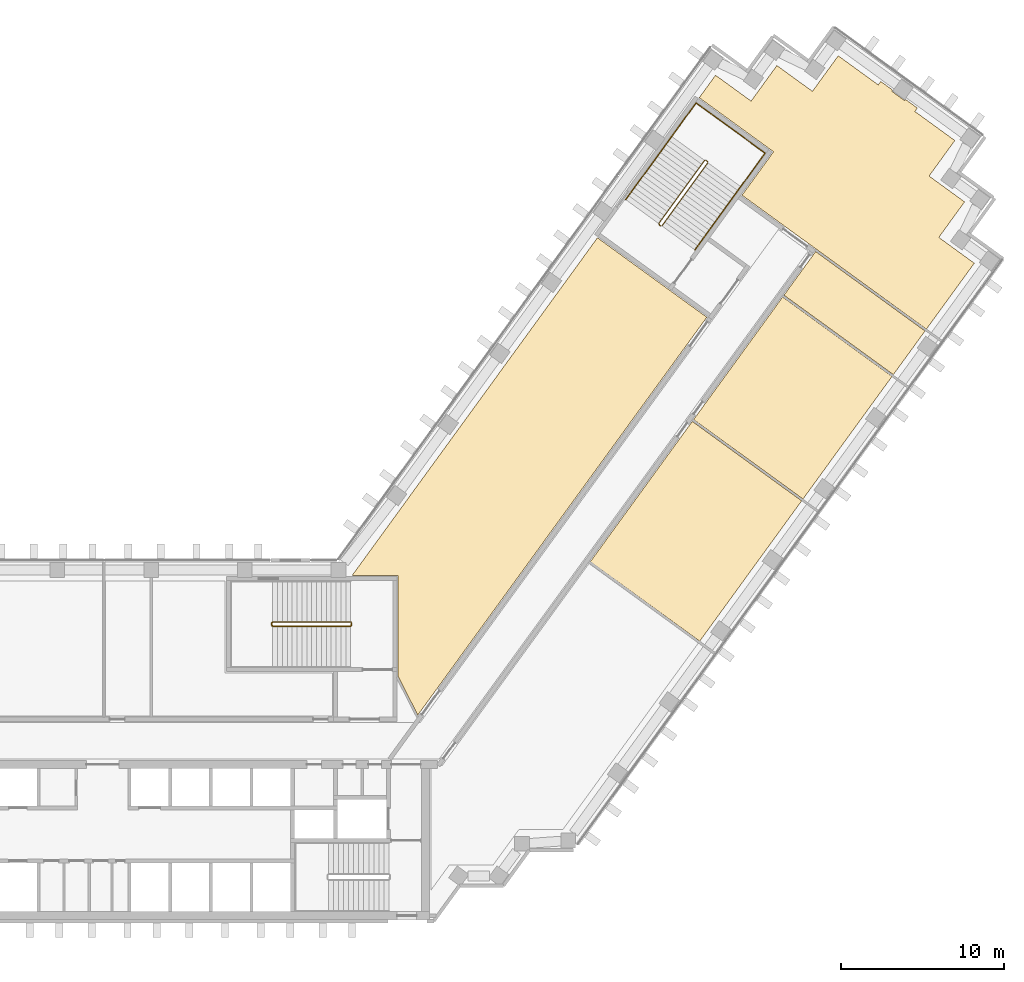
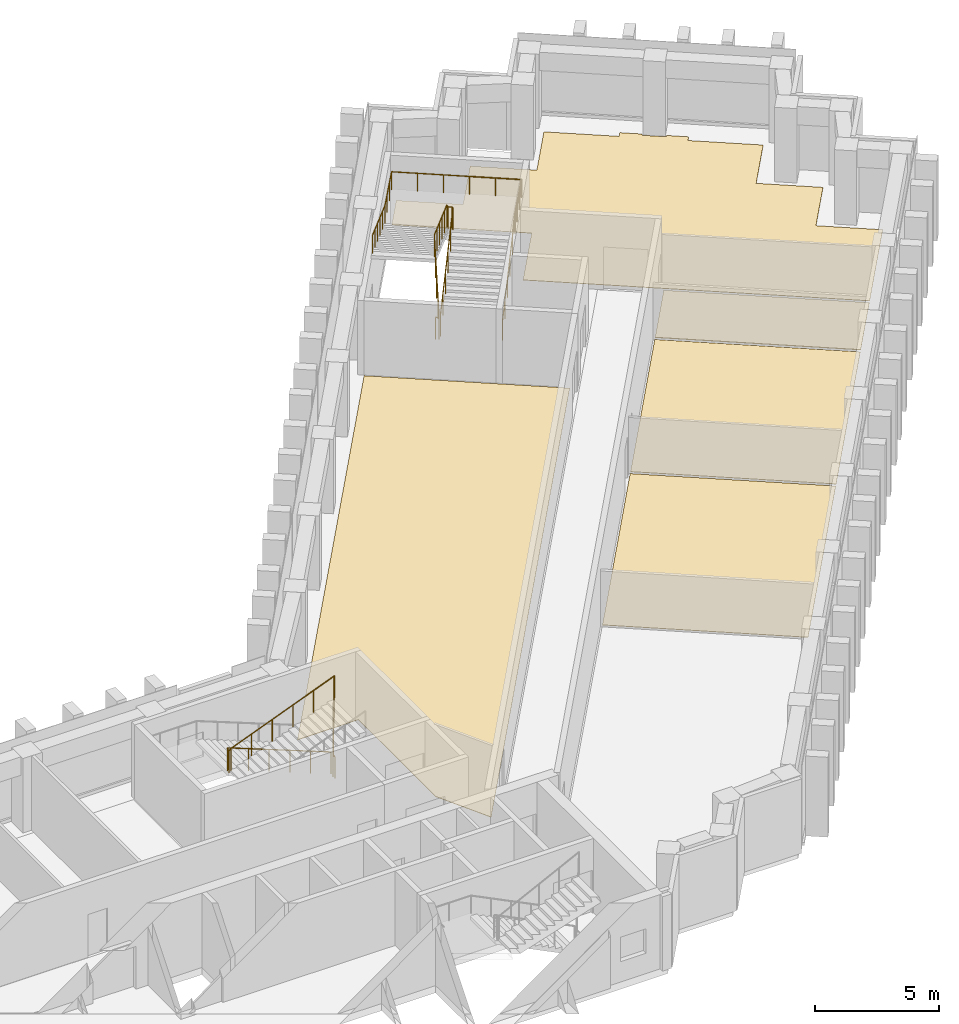
# One storey, part 16 of 16: 5 coverings, 3 railings.
"""IFC4 building model written with IfcOpenShell, lengths in metres."""

from ifc_helpers import new_model, si_unit, direction, frame, origin, origin_2d, place, context, subcontext, project, spatial, polyline, circle, outline, extrude, material, layer, layer_set, type_object, element, save


model = new_model("IFC4")

# Units and contexts
model_context = context("Model", 3, precision=1e-05, world=origin(), true_north=direction((0.0, 1.0)))
body_context = subcontext(model_context, "Body", "Model", "MODEL_VIEW")
ifc_project = project(units=[si_unit("LENGTHUNIT", "METRE"), si_unit("AREAUNIT", "SQUARE_METRE"), si_unit("VOLUMEUNIT", "CUBIC_METRE"), si_unit("PLANEANGLEUNIT", "RADIAN"), si_unit("MASSUNIT", "GRAM", prefix="KILO")], contexts=[model_context])

# Site, building, storey
site_placement = place(None, origin())
site = spatial("IfcSite", under=ifc_project, at=site_placement, CompositionType="ELEMENT")
building_placement = place(site_placement, origin())
building = spatial("IfcBuilding", under=site, at=building_placement, Name="Quipu Civic Tower", CompositionType="ELEMENT")
storey_placement = place(building_placement, frame((0.0, 0.0, 63.0)))
storey = spatial("IfcBuildingStorey", under=building, at=storey_placement, Name="L14", CompositionType="ELEMENT", Elevation=63.0)

# Coverings
ifc_material_1 = material(Name="Carpet tile on raised access floor")
ifc_layer_1 = layer(ifc_material_1, 0.02001953125)
ifc_layer_set_1 = layer_set([ifc_layer_1], Name="Carpet tile on raised access floor")
covering_type_1 = type_object("IfcCoveringType", Name="Carpet tile floor finish 20", PredefinedType="FLOORING", material=ifc_layer_set_1)
covering_1_placement = place(storey_placement, origin())
element("IfcCovering", 1, at=covering_1_placement, inside=storey, type_object=covering_type_1, Name="Carpet tile floor finish 20", PredefinedType="FLOORING", context=body_context, shape_type="SweptSolid", body=[
    extrude(outline(polyline([(15.238037109375, 10.169921875), (30.31494140625, 30.922119140625), (37.0380859375, 26.0380859375), (19.27197265625, 1.583984375), (18.070068359375, 3.94189453125), (18.070068359375, 10.1689453125), (15.238037109375, 10.169921875)])), origin(), (0.0, 0.0, 1.0), 0.02001953125),
])
covering_2_placement = place(storey_placement, origin())
element("IfcCovering", 2, at=covering_2_placement, inside=storey, type_object=covering_type_1, Name="Carpet tile floor finish 20", PredefinedType="FLOORING", context=body_context, shape_type="SweptSolid", body=[
    extrude(outline(polyline([(36.570068359375, 39.530029296875), (37.574951171875, 40.9130859375), (39.760009765625, 39.326904296875), (41.345947265625, 41.510986328125), (43.530029296875, 39.925048828125), (45.116943359375, 42.10791015625), (47.574951171875, 40.322021484375), (47.72900390625, 40.531982421875), (48.449951171875, 40.008056640625), (48.427001953125, 39.97705078125), (48.424072265625, 39.972900390625), (48.422119140625, 39.968017578125), (48.419921875, 39.964111328125), (48.4189453125, 39.958984375), (48.41796875, 39.9541015625), (48.4169921875, 39.948974609375), (48.4169921875, 39.944091796875), (48.41796875, 39.93994140625), (48.4189453125, 39.93505859375), (48.419921875, 39.929931640625), (48.422119140625, 39.926025390625), (48.425048828125, 39.9208984375), (48.427001953125, 39.9169921875), (48.430908203125, 39.9130859375), (48.43408203125, 39.909912109375), (48.43798828125, 39.906982421875), (49.166015625, 39.3779296875), (49.169921875, 39.375), (49.174072265625, 39.373046875), (49.178955078125, 39.37109375), (49.18408203125, 39.3701171875), (49.18896484375, 39.368896484375), (49.193115234375, 39.367919921875), (49.197998046875, 39.367919921875), (49.202880859375, 39.368896484375), (49.2080078125, 39.3701171875), (49.212890625, 39.37109375), (49.217041015625, 39.373046875), (49.220947265625, 39.3759765625), (49.22607421875, 39.3779296875), (49.22900390625, 39.382080078125), (49.23291015625, 39.385009765625), (49.236083984375, 39.388916015625), (49.259033203125, 39.4208984375), (49.97900390625, 38.89697265625), (49.826904296875, 38.68603515625), (52.284912109375, 36.90087890625), (50.698974609375, 34.717041015625), (52.883056640625, 33.12890625), (51.297119140625, 30.945068359375), (53.47998046875, 29.35791015625), (50.535888671875, 25.304931640625), (39.200927734375, 33.5390625), (41.139892578125, 36.208984375), (36.570068359375, 39.530029296875)])), origin(), (0.0, 0.0, 1.0), 0.02001953125),
])
covering_3_placement = place(storey_placement, origin())
element("IfcCovering", 3, at=covering_3_placement, inside=storey, type_object=covering_type_1, Name="Carpet tile floor finish 20", PredefinedType="FLOORING", context=body_context, shape_type="SweptSolid", body=[
    extrude(outline(polyline([(36.22705078125, 19.748046875), (41.698974609375, 27.281005859375), (48.422119140625, 22.39697265625), (42.950927734375, 14.864990234375), (36.22705078125, 19.748046875)])), origin(), (0.0, 0.0, 1.0), 0.02001953125),
])
covering_4_placement = place(storey_placement, origin())
element("IfcCovering", 4, at=covering_4_placement, inside=storey, type_object=covering_type_1, Name="Carpet tile floor finish 20", PredefinedType="FLOORING", context=body_context, shape_type="SweptSolid", body=[
    extrude(outline(polyline([(29.87890625, 11.010986328125), (36.14404296875, 19.635009765625), (42.867919921875, 14.751953125), (36.60302734375, 6.126953125), (29.87890625, 11.010986328125)])), origin(), (0.0, 0.0, 1.0), 0.02001953125),
])
ifc_material_2 = material(Name="Ceramic floor tile")
ifc_layer_2 = layer(ifc_material_2, 0.030029296875)
ifc_layer_set_2 = layer_set([ifc_layer_2], Name="Ceramic floor tile")
covering_type_2 = type_object("IfcCoveringType", Name="Ceramic tile floor finish 30", PredefinedType="FLOORING", material=ifc_layer_set_2)
covering_5_placement = place(storey_placement, origin())
element("IfcCovering", 5, at=covering_5_placement, inside=storey, type_object=covering_type_2, Name="Ceramic tile floor finish 30", PredefinedType="FLOORING", context=body_context, shape_type="SweptSolid", body=[
    extrude(outline(polyline([(41.781982421875, 27.39404296875), (43.72998046875, 30.075927734375), (50.452880859375, 25.19189453125), (48.5048828125, 22.510009765625), (41.781982421875, 27.39404296875)])), origin(), (0.0, 0.0, 1.0), 0.030029296875),
])

# Railings
ifc_material_3 = material(Name="Stainless steel", Category="steel")
railing_type_1 = type_object("IfcRailingType", Name="Stair guard 1100", PredefinedType="GUARDRAIL", material=ifc_material_3)
railing_1_placement = place(storey_placement, frame((15.14990234375, 7.300048828125, 0.11767578125)))
element("IfcRailing", 6, at=railing_1_placement, inside=storey, type_object=railing_type_1, Name="Stair 4 guard", PredefinedType="GUARDRAIL", context=body_context, shape_type="SweptSolid", body=[
    extrude(circle(Radius=0.02392578125, at=origin_2d()), frame((0.0, 0.0, 1.076171875), z_axis=(-0.930970042603, 0.0, 0.365095576219), x_axis=(0.0, -1.0, 0.0)), (0.0, 0.0, 1.0), 5.15576171875),
    extrude(circle(Radius=0.02392578125, at=origin_2d()), frame((-4.7998046875, 0.0, 2.95849609375), z_axis=(-0.707106781187, -0.707106781187, 0.0), x_axis=(0.707106781187, -0.707106781187, 0.0)), (0.0, 0.0, 1.0), 0.07080078125),
    extrude(circle(Radius=0.02392578125, at=origin_2d()), frame((-4.849853515625, -0.050048828125, 2.95849609375), z_axis=(0.0, -1.0, 0.0), x_axis=(1.0, 0.0, 0.0)), (0.0, 0.0, 1.0), 0.14990234375),
    extrude(circle(Radius=0.02392578125, at=origin_2d()), frame((-4.849853515625, -0.199951171875, 2.95849609375), z_axis=(0.364463019033, -0.364463019033, 0.856932561824), x_axis=(0.707106781187, 0.707106781187, 0.0)), (0.0, 0.0, 1.0), 0.13720703125),
    extrude(circle(Radius=0.02392578125, at=origin_2d()), frame((-4.7998046875, -0.25, 3.076171875), z_axis=(0.930970042603, 0.0, 0.365095576219), x_axis=(0.0, 1.0, 0.0)), (0.0, 0.0, 1.0), 5.15576171875),
    extrude(circle(Radius=0.02392578125, at=origin_2d()), frame((0.0, -0.25, 4.95849609375), z_axis=(0.012495627992, 0.049921557685, -0.998674970829), x_axis=(-0.970072785993, 0.242814311512, 0.0)), (0.0, 0.0, 1.0), 4.00537109375),
    extrude(circle(Radius=0.02392578125, at=origin_2d()), frame((0.050048828125, -0.050048828125, 0.95849609375), z_axis=(0.0, -1.0, 0.0), x_axis=(1.0, 0.0, 0.0)), (0.0, 0.0, 1.0), 0.14990234375),
    extrude(circle(Radius=0.02099609375, at=origin_2d()), origin(), (0.0, 0.0, 1.0), 1.052001953125),
    extrude(circle(Radius=0.02099609375, at=origin_2d()), frame((-0.9599609375, 0.0, 0.37646484375)), (0.0, 0.0, 1.0), 1.052001953125),
    extrude(circle(Radius=0.02099609375, at=origin_2d()), frame((-1.919921875, 0.0, 0.7529296875)), (0.0, 0.0, 1.0), 1.052001953125),
    extrude(circle(Radius=0.02099609375, at=origin_2d()), frame((-2.8798828125, 0.0, 1.12939453125)), (0.0, 0.0, 1.0), 1.052001953125),
    extrude(circle(Radius=0.02099609375, at=origin_2d()), frame((-3.83984375, 0.0, 1.505859375)), (0.0, 0.0, 1.0), 1.052001953125),
    extrude(circle(Radius=0.02099609375, at=origin_2d()), frame((-4.7998046875, 0.0, 1.88232421875)), (0.0, 0.0, 1.0), 1.052001953125),
    extrude(circle(Radius=0.02099609375, at=origin_2d()), frame((-4.849853515625, -0.050048828125, 1.88232421875)), (0.0, 0.0, 1.0), 1.052001953125),
    extrude(circle(Radius=0.02099609375, at=origin_2d()), frame((-4.849853515625, -0.199951171875, 1.88232421875)), (0.0, 0.0, 1.0), 1.052001953125),
    extrude(circle(Radius=0.02099609375, at=origin_2d()), frame((-4.7998046875, -0.25, 2.0)), (0.0, 0.0, 1.0), 1.052001953125),
    extrude(circle(Radius=0.02099609375, at=origin_2d()), frame((-3.83984375, -0.25, 2.37646484375)), (0.0, 0.0, 1.0), 1.052001953125),
    extrude(circle(Radius=0.02099609375, at=origin_2d()), frame((-2.8798828125, -0.25, 2.7529296875)), (0.0, 0.0, 1.0), 1.052001953125),
    extrude(circle(Radius=0.02099609375, at=origin_2d()), frame((-1.919921875, -0.25, 3.12939453125)), (0.0, 0.0, 1.0), 1.052001953125),
    extrude(circle(Radius=0.02099609375, at=origin_2d()), frame((-0.9599609375, -0.25, 3.505859375)), (0.0, 0.0, 1.0), 1.052001953125),
    extrude(circle(Radius=0.02099609375, at=origin_2d()), frame((0.0, -0.25, 3.88232421875)), (0.0, 0.0, 1.0), 1.052001953125),
    extrude(circle(Radius=0.02099609375, at=origin_2d()), frame((0.012451171875, -0.199951171875, 2.88232421875)), (0.0, 0.0, 1.0), 1.052001953125),
    extrude(circle(Radius=0.02099609375, at=origin_2d()), frame((0.02490234375, -0.14990234375, 1.88232421875)), (0.0, 0.0, 1.0), 1.052001953125),
    extrude(circle(Radius=0.02099609375, at=origin_2d()), frame((0.03759765625, -0.10009765625, 0.88232421875)), (0.0, 0.0, 1.0), 1.052001953125),
    extrude(circle(Radius=0.02099609375, at=origin_2d()), frame((0.050048828125, -0.050048828125, -0.11767578125)), (0.0, 0.0, 1.0), 1.052001953125),
    extrude(circle(Radius=0.02099609375, at=origin_2d()), frame((0.050048828125, -0.199951171875, -0.11767578125)), (0.0, 0.0, 1.0), 1.052001953125),
])
railing_2_placement = place(storey_placement, frame((34.28125, 31.650390625, 0.11767578125)))
element("IfcRailing", 7, at=railing_2_placement, inside=storey, type_object=railing_type_1, Name="Stair 7 guard", PredefinedType="GUARDRAIL", context=body_context, shape_type="SweptSolid", body=[
    extrude(circle(Radius=0.02392578125, at=origin_2d()), frame((0.0, 0.0, 1.076171875), z_axis=(0.54720100349, 0.753182689643, 0.365084781664), x_axis=(-0.809026317077, 0.587772420479, 0.0)), (0.0, 0.0, 1.0), 5.15576171875),
    extrude(circle(Radius=0.02392578125, at=origin_2d()), frame((2.8212890625, 3.88330078125, 2.95849609375), z_axis=(-0.155430446612, 0.987846838465, 0.0), x_axis=(-0.987846838465, -0.155430446612, 0.0)), (0.0, 0.0, 1.0), 0.07080078125),
    extrude(circle(Radius=0.02392578125, at=origin_2d()), frame((2.810302734375, 3.953125, 2.95849609375), z_axis=(-0.809649071907, 0.586914287065, 0.0), x_axis=(-0.586914287065, -0.809649071907, 0.0)), (0.0, 0.0, 1.0), 0.150146484375),
    extrude(circle(Radius=0.02392578125, at=origin_2d()), frame((2.688720703125, 4.041259765625, 2.95849609375), z_axis=(-0.508654480474, -0.080033047627, 0.857242865693), x_axis=(0.155430446612, -0.987846838465, 0.0)), (0.0, 0.0, 1.0), 0.13720703125),
    extrude(circle(Radius=0.02392578125, at=origin_2d()), frame((2.618896484375, 4.0302734375, 3.076171875), z_axis=(-0.54720100349, -0.753182689643, 0.365084781664), x_axis=(0.809026317077, -0.587772420479, 0.0)), (0.0, 0.0, 1.0), 5.15576171875),
    extrude(circle(Radius=0.02392578125, at=origin_2d()), frame((-0.202392578125, 0.14697265625, 4.95849609375), z_axis=(0.033037246672, -0.039437451286, -0.998675737048), x_axis=(0.766567769536, 0.642163417448, 0.0)), (0.0, 0.0, 1.0), 4.00537109375),
    extrude(circle(Radius=0.02392578125, at=origin_2d()), frame((-0.070068359375, -0.010986328125, 0.95849609375), z_axis=(-0.809087927272, 0.587687609145, 0.0), x_axis=(-0.587687609145, -0.809087927272, 0.0)), (0.0, 0.0, 1.0), 0.14990234375),
    extrude(circle(Radius=0.02099609375, at=origin_2d()), origin(), (0.0, 0.0, 1.0), 1.052001953125),
    extrude(circle(Radius=0.02099609375, at=origin_2d()), frame((0.564208984375, 0.776611328125, 0.37646484375)), (0.0, 0.0, 1.0), 1.052001953125),
    extrude(circle(Radius=0.02099609375, at=origin_2d()), frame((1.12841796875, 1.55322265625, 0.7529296875)), (0.0, 0.0, 1.0), 1.052001953125),
    extrude(circle(Radius=0.02099609375, at=origin_2d()), frame((1.69287109375, 2.330078125, 1.12939453125)), (0.0, 0.0, 1.0), 1.052001953125),
    extrude(circle(Radius=0.02099609375, at=origin_2d()), frame((2.257080078125, 3.106689453125, 1.505859375)), (0.0, 0.0, 1.0), 1.052001953125),
    extrude(circle(Radius=0.02099609375, at=origin_2d()), frame((2.8212890625, 3.88330078125, 1.88232421875)), (0.0, 0.0, 1.0), 1.052001953125),
    extrude(circle(Radius=0.02099609375, at=origin_2d()), frame((2.810302734375, 3.953125, 1.88232421875)), (0.0, 0.0, 1.0), 1.052001953125),
    extrude(circle(Radius=0.02099609375, at=origin_2d()), frame((2.688720703125, 4.041259765625, 1.88232421875)), (0.0, 0.0, 1.0), 1.052001953125),
    extrude(circle(Radius=0.02099609375, at=origin_2d()), frame((2.618896484375, 4.0302734375, 2.0)), (0.0, 0.0, 1.0), 1.052001953125),
    extrude(circle(Radius=0.02099609375, at=origin_2d()), frame((2.0546875, 3.253662109375, 2.37646484375)), (0.0, 0.0, 1.0), 1.052001953125),
    extrude(circle(Radius=0.02099609375, at=origin_2d()), frame((1.490478515625, 2.47705078125, 2.7529296875)), (0.0, 0.0, 1.0), 1.052001953125),
    extrude(circle(Radius=0.02099609375, at=origin_2d()), frame((0.926025390625, 1.7001953125, 3.12939453125)), (0.0, 0.0, 1.0), 1.052001953125),
    extrude(circle(Radius=0.02099609375, at=origin_2d()), frame((0.36181640625, 0.923583984375, 3.505859375)), (0.0, 0.0, 1.0), 1.052001953125),
    extrude(circle(Radius=0.02099609375, at=origin_2d()), frame((-0.202392578125, 0.14697265625, 3.88232421875)), (0.0, 0.0, 1.0), 1.052001953125),
    extrude(circle(Radius=0.02099609375, at=origin_2d()), frame((-0.16943359375, 0.107421875, 2.88232421875)), (0.0, 0.0, 1.0), 1.052001953125),
    extrude(circle(Radius=0.02099609375, at=origin_2d()), frame((-0.13623046875, 0.06787109375, 1.88232421875)), (0.0, 0.0, 1.0), 1.052001953125),
    extrude(circle(Radius=0.02099609375, at=origin_2d()), frame((-0.10302734375, 0.028564453125, 0.88232421875)), (0.0, 0.0, 1.0), 1.052001953125),
    extrude(circle(Radius=0.02099609375, at=origin_2d()), frame((-0.070068359375, -0.010986328125, -0.11767578125)), (0.0, 0.0, 1.0), 1.052001953125),
    extrude(circle(Radius=0.02099609375, at=origin_2d()), frame((-0.19140625, 0.0771484375, -0.11767578125)), (0.0, 0.0, 1.0), 1.052001953125),
])
ifc_material_4 = material(Name="Stainless steel", Category="steel")
railing_type_2 = type_object("IfcRailingType", Name="Stair handrail", PredefinedType="HANDRAIL", material=ifc_material_4)
railing_3_placement = place(storey_placement, frame((36.3037109375, 30.180908203125, 0.11767578125)))
element("IfcRailing", 8, at=railing_3_placement, inside=storey, type_object=railing_type_2, Name="Stair 7 handrail", PredefinedType="HANDRAIL", context=body_context, shape_type="SweptSolid", body=[
    extrude(circle(Radius=0.02392578125, at=origin_2d()), frame((0.0, 0.0, 0.8759765625), z_axis=(0.54720100349, 0.753182689643, 0.365084781664), x_axis=(-0.809026317077, 0.587772420479, 0.0)), (0.0, 0.0, 1.0), 5.15576171875),
    extrude(circle(Radius=0.02392578125, at=origin_2d()), frame((2.8212890625, 3.88330078125, 2.75830078125), z_axis=(0.587767432704, 0.809029940764, 0.0), x_axis=(-0.809029940764, 0.587767432704, 0.0)), (0.0, 0.0, 1.0), 2.550048828125),
    extrude(circle(Radius=0.02392578125, at=origin_2d()), frame((4.320068359375, 5.9462890625, 2.75830078125), z_axis=(-0.809009483706, 0.587795589702, 0.0), x_axis=(-0.587795589702, -0.809009483706, 0.0)), (0.0, 0.0, 1.0), 5.25),
    extrude(circle(Radius=0.02392578125, at=origin_2d()), frame((0.07275390625, 9.0322265625, 2.75830078125), z_axis=(-0.587142558822, -0.808169835812, 0.046099155132), x_axis=(0.809029940764, -0.587767432704, 0.0)), (0.0, 0.0, 1.0), 2.552734375),
    extrude(circle(Radius=0.02392578125, at=origin_2d()), frame((-1.426025390625, 6.96923828125, 2.8759765625), z_axis=(-0.54720100349, -0.753182689643, 0.365084781664), x_axis=(0.809026317077, -0.587772420479, 0.0)), (0.0, 0.0, 1.0), 5.15576171875),
    extrude(circle(Radius=0.02099609375, at=origin_2d()), origin(), (0.0, 0.0, 1.0), 0.851806640625),
    extrude(circle(Radius=0.02099609375, at=origin_2d()), frame((0.564208984375, 0.776611328125, 0.37646484375)), (0.0, 0.0, 1.0), 0.851806640625),
    extrude(circle(Radius=0.02099609375, at=origin_2d()), frame((1.12841796875, 1.55322265625, 0.7529296875)), (0.0, 0.0, 1.0), 0.851806640625),
    extrude(circle(Radius=0.02099609375, at=origin_2d()), frame((1.69287109375, 2.330078125, 1.12939453125)), (0.0, 0.0, 1.0), 0.851806640625),
    extrude(circle(Radius=0.02099609375, at=origin_2d()), frame((2.257080078125, 3.106689453125, 1.505859375)), (0.0, 0.0, 1.0), 0.851806640625),
    extrude(circle(Radius=0.02099609375, at=origin_2d()), frame((2.8212890625, 3.88330078125, 1.88232421875)), (0.0, 0.0, 1.0), 0.851806640625),
    extrude(circle(Radius=0.02099609375, at=origin_2d()), frame((3.32080078125, 4.571044921875, 1.88232421875)), (0.0, 0.0, 1.0), 0.851806640625),
    extrude(circle(Radius=0.02099609375, at=origin_2d()), frame((3.820556640625, 5.258544921875, 1.88232421875)), (0.0, 0.0, 1.0), 0.851806640625),
    extrude(circle(Radius=0.02099609375, at=origin_2d()), frame((4.320068359375, 5.9462890625, 1.88232421875)), (0.0, 0.0, 1.0), 0.851806640625),
    extrude(circle(Radius=0.02099609375, at=origin_2d()), frame((3.470703125, 6.5634765625, 1.88232421875)), (0.0, 0.0, 1.0), 0.851806640625),
    extrude(circle(Radius=0.02099609375, at=origin_2d()), frame((2.62109375, 7.1806640625, 1.88232421875)), (0.0, 0.0, 1.0), 0.851806640625),
    extrude(circle(Radius=0.02099609375, at=origin_2d()), frame((1.771728515625, 7.7978515625, 1.88232421875)), (0.0, 0.0, 1.0), 0.851806640625),
    extrude(circle(Radius=0.02099609375, at=origin_2d()), frame((0.922119140625, 8.4150390625, 1.88232421875)), (0.0, 0.0, 1.0), 0.851806640625),
    extrude(circle(Radius=0.02099609375, at=origin_2d()), frame((0.07275390625, 9.0322265625, 1.88232421875)), (0.0, 0.0, 1.0), 0.851806640625),
    extrude(circle(Radius=0.02099609375, at=origin_2d()), frame((-0.4267578125, 8.344482421875, 1.921630859375)), (0.0, 0.0, 1.0), 0.851806640625),
    extrude(circle(Radius=0.02099609375, at=origin_2d()), frame((-0.926513671875, 7.656982421875, 1.960693359375)), (0.0, 0.0, 1.0), 0.851806640625),
    extrude(circle(Radius=0.02099609375, at=origin_2d()), frame((-1.426025390625, 6.96923828125, 2.0)), (0.0, 0.0, 1.0), 0.851806640625),
    extrude(circle(Radius=0.02099609375, at=origin_2d()), frame((-1.990234375, 6.192626953125, 2.37646484375)), (0.0, 0.0, 1.0), 0.851806640625),
    extrude(circle(Radius=0.02099609375, at=origin_2d()), frame((-2.554443359375, 5.416015625, 2.7529296875)), (0.0, 0.0, 1.0), 0.851806640625),
    extrude(circle(Radius=0.02099609375, at=origin_2d()), frame((-3.118896484375, 4.63916015625, 3.12939453125)), (0.0, 0.0, 1.0), 0.851806640625),
    extrude(circle(Radius=0.02099609375, at=origin_2d()), frame((-3.68310546875, 3.862548828125, 3.505859375)), (0.0, 0.0, 1.0), 0.851806640625),
    extrude(circle(Radius=0.02099609375, at=origin_2d()), frame((-4.247314453125, 3.0859375, 3.88232421875)), (0.0, 0.0, 1.0), 0.851806640625),
])

save(model, "model.ifc")
